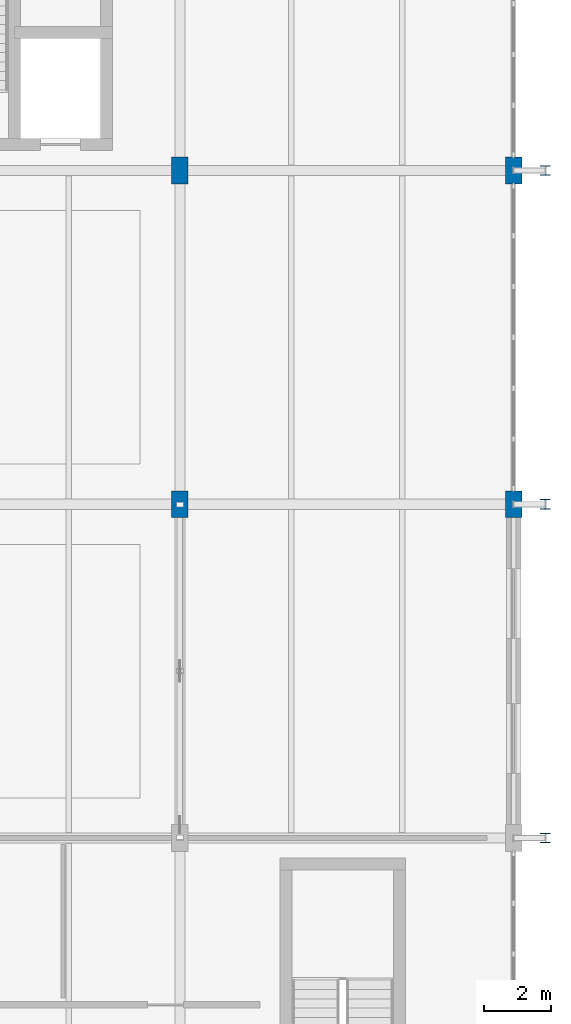
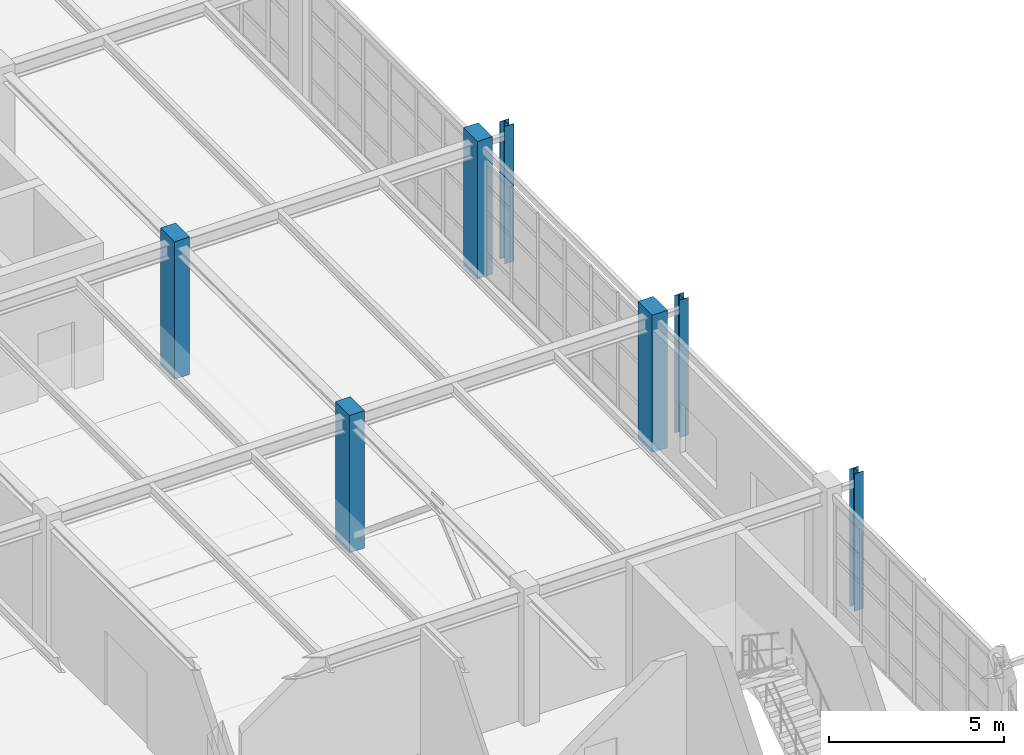
# One storey, part 20 of 139: 7 columns.
"""IFC4 building model written with IfcOpenShell, lengths in metres."""

from ifc_helpers import new_model, si_unit, direction, frame, origin, origin_2d, place, context, subcontext, project, spatial, rectangle, i_section, extrude, material, material_profile, profile_set, type_object, element, save


model = new_model("IFC4")

# Units and contexts
model_context = context("Model", 3, precision=1e-05, world=origin(), true_north=direction((0.0, 1.0)))
body_context = subcontext(model_context, "Body", "Model", "MODEL_VIEW")
ifc_project = project(units=[si_unit("LENGTHUNIT", "METRE"), si_unit("AREAUNIT", "SQUARE_METRE"), si_unit("VOLUMEUNIT", "CUBIC_METRE"), si_unit("PLANEANGLEUNIT", "RADIAN"), si_unit("MASSUNIT", "GRAM", prefix="KILO"), si_unit("THERMODYNAMICTEMPERATUREUNIT", "KELVIN"), si_unit("POWERUNIT", "WATT")], contexts=[model_context])

# Site, building, storey
site_placement = place(None, origin())
site = spatial("IfcSite", under=ifc_project, at=site_placement, CompositionType="ELEMENT")
building_placement = place(site_placement, origin())
building = spatial("IfcBuilding", under=site, at=building_placement, Name="Korenveer Ferry Terminal", CompositionType="ELEMENT")
storey_placement = place(building_placement, frame((0.0, 0.0, 5.39990234375)))
storey = spatial("IfcBuildingStorey", under=building, at=storey_placement, Name="L01", CompositionType="ELEMENT", Elevation=5.39990234375)

# Columns
ifc_material_1 = material(Name="Concrete C45/55", Category="concrete")
ifc_material_profile_1 = material_profile(ifc_material_1, rectangle(XDim=0.5, YDim=0.800048828125, at=origin_2d()), Name="RC 500x800")
ifc_profile_set_1 = profile_set([ifc_material_profile_1], Name="Concrete C45/55")
column_type_1 = type_object("IfcColumnType", Name="STR-COL-RC500X800", PredefinedType="COLUMN", material=ifc_profile_set_1)
for number, where, z_axis, x_axis, name in (
    (1, (166.0, 50.0, 0.0), (0.0, 0.0, 1.0), (1.0, 0.0, 0.0), "Column COL-L01-X166-Y50"),
    (2, (166.0, 60.0, 0.0), (0.0, 0.0, 1.0), (1.0, 0.0, 0.0), "Column COL-L01-X166-Y60"),
    (3, (176.0, 50.0, 0.0), (0.0, 0.0, 1.0), (1.0, 0.0, 0.0), "Column COL-L01-X176-Y50"),
    (4, (176.0, 60.0, 0.0), (0.0, 0.0, 1.0), (1.0, 0.0, 0.0), "Column COL-L01-X176-Y60"),
):
    element("IfcColumn", number, at=place(storey_placement, frame(where, z_axis=z_axis, x_axis=x_axis)), inside=storey, type_object=column_type_1, Name=name, PredefinedType="COLUMN", context=body_context, shape_type="SweptSolid", body=[
        extrude(rectangle(XDim=0.5, YDim=0.800048828125, at=origin_2d()), origin(), (0.0, 0.0, 1.0), 4.800048828125),
    ])
ifc_material_2 = material(Name="Steel S355", Category="steel")
ifc_material_profile_2 = material_profile(ifc_material_2, i_section(OverallWidth=0.300048828125, OverallDepth=0.2900390625, WebThickness=0.008544921875, FlangeThickness=0.013916015625, FilletRadius=0.027099609375, at=origin_2d()), Name="HEA 300")
ifc_profile_set_2 = profile_set([ifc_material_profile_2], Name="Steel S355")
column_type_2 = type_object("IfcColumnType", Name="STR-PIL-BRICK450", PredefinedType="PILASTER", material=ifc_profile_set_2)
for number, where, z_axis, x_axis, name in (
    (5, (176.949951171875, 40.0, 0.0), (0.0, 0.0, 1.0), (1.0, 0.0, 0.0), "Buttress pilaster 26"),
    (6, (176.949951171875, 50.0, 0.0), (0.0, 0.0, 1.0), (1.0, 0.0, 0.0), "Buttress pilaster 29"),
    (7, (176.949951171875, 60.0, 0.0), (0.0, 0.0, 1.0), (1.0, 0.0, 0.0), "Buttress pilaster 32"),
):
    element("IfcColumn", number, at=place(storey_placement, frame(where, z_axis=z_axis, x_axis=x_axis)), inside=storey, type_object=column_type_2, Name=name, PredefinedType="PILASTER", context=body_context, shape_type="SweptSolid", body=[
        extrude(i_section(OverallWidth=0.300048828125, OverallDepth=0.2900390625, WebThickness=0.008544921875, FlangeThickness=0.013916015625, FilletRadius=0.027099609375, at=origin_2d()), origin(), (0.0, 0.0, 1.0), 4.800048828125),
    ])

save(model, "model.ifc")
